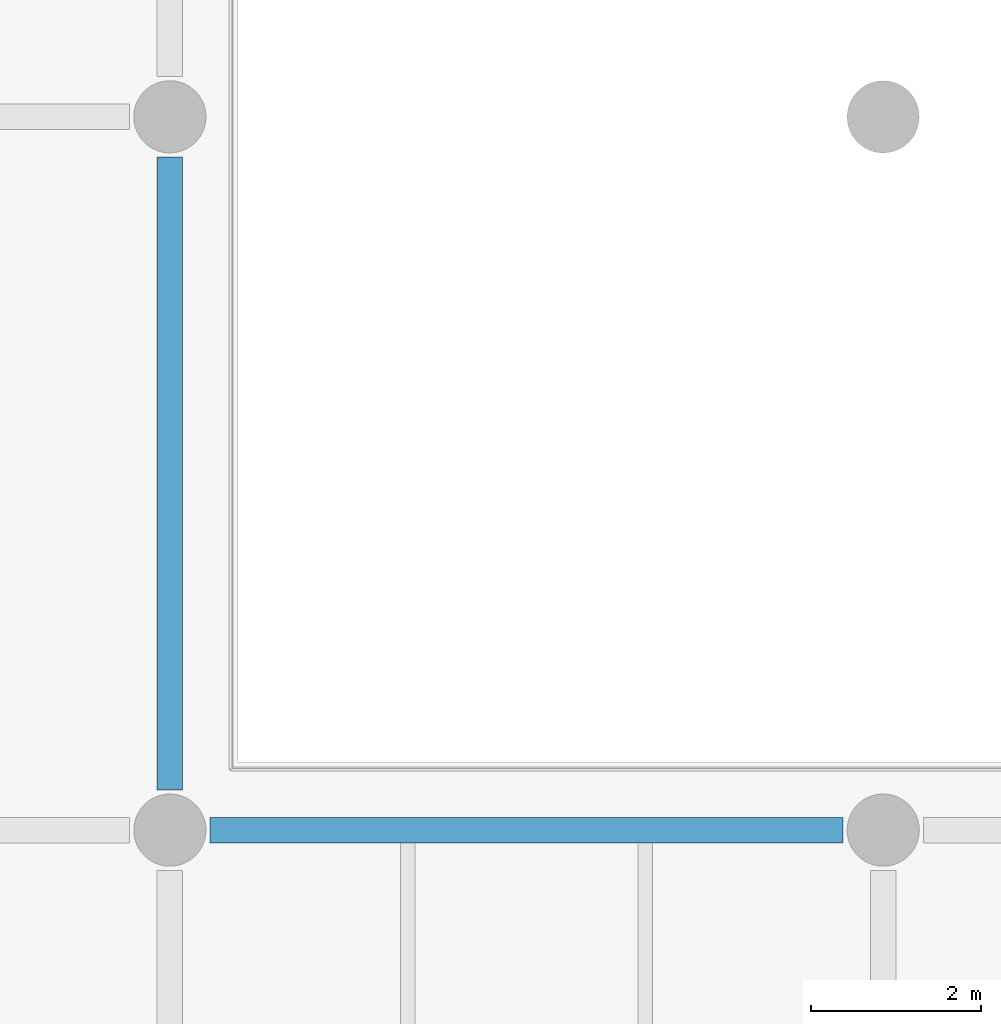
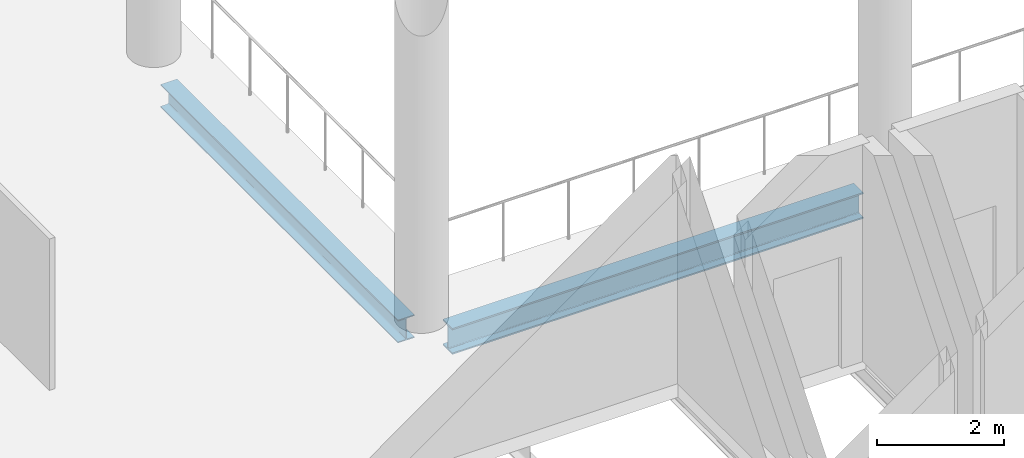
# One storey, part 51 of 177: 2 beams.
"""IFC4 building model written with IfcOpenShell, lengths in metres."""

from ifc_helpers import new_model, si_unit, direction, frame, origin, origin_2d, place, context, subcontext, project, spatial, i_section, extrude, material, material_profile, profile_set, type_object, element, save


model = new_model("IFC4")

# Units and contexts
model_context = context("Model", 3, precision=1e-05, world=origin(), true_north=direction((0.0, 1.0)))
body_context = subcontext(model_context, "Body", "Model", "MODEL_VIEW")
ifc_project = project(units=[si_unit("LENGTHUNIT", "METRE"), si_unit("AREAUNIT", "SQUARE_METRE"), si_unit("VOLUMEUNIT", "CUBIC_METRE"), si_unit("PLANEANGLEUNIT", "RADIAN"), si_unit("MASSUNIT", "GRAM", prefix="KILO"), si_unit("THERMODYNAMICTEMPERATUREUNIT", "KELVIN"), si_unit("POWERUNIT", "WATT")], contexts=[model_context])

# Site, building, storey
site_placement = place(None, origin())
site = spatial("IfcSite", under=ifc_project, at=site_placement, CompositionType="ELEMENT")
building_placement = place(site_placement, origin())
building = spatial("IfcBuilding", under=site, at=building_placement, Name="Mavoryth Pier Ferry Terminal", CompositionType="ELEMENT")
storey_placement = place(building_placement, frame((0.0, 0.0, 5.43994140625)))
storey = spatial("IfcBuildingStorey", under=building, at=storey_placement, Name="L01", CompositionType="ELEMENT", Elevation=5.43994140625)

# Beams
ifc_material = material(Name="Steel S355J2", Category="steel")
ifc_material_profile_1 = material_profile(ifc_material, i_section(OverallWidth=0.300048828125, OverallDepth=0.43994140625, WebThickness=0.011474609375, FlangeThickness=0.02099609375, FilletRadius=0.027099609375, at=origin_2d()), Name="HEA 450", Category="steel")
ifc_profile_set_1 = profile_set([ifc_material_profile_1], Name="Steel S355J2 - HEA 450")
beam_type_1 = type_object("IfcBeamType", Name="Beam-Steel-HEA450", PredefinedType="BEAM", material=ifc_profile_set_1)
beam_1_placement = place(storey_placement, frame((8.39990234375, 64.47509765625, -0.5), z_axis=(0.0, 1.0, 0.0), x_axis=(-1.0, 0.0, 0.0)))
element("IfcBeam", 1, at=beam_1_placement, inside=storey, type_object=beam_type_1, Name="Beam B01-SB03-0087", PredefinedType="BEAM", context=body_context, shape_type="SweptSolid", body=[
    extrude(i_section(OverallWidth=0.300048828125, OverallDepth=0.43994140625, WebThickness=0.011474609375, FlangeThickness=0.02099609375, FilletRadius=0.027099609375, at=origin_2d()), origin(), (0.0, 0.0, 1.0), 7.449951171875),
])
ifc_material_profile_2 = material_profile(ifc_material, i_section(OverallWidth=0.300048828125, OverallDepth=0.5, WebThickness=0.014404296875, FlangeThickness=0.028076171875, FilletRadius=0.027099609375, at=origin_2d()), Name="HEB 500", Category="steel")
ifc_profile_set_2 = profile_set([ifc_material_profile_2], Name="Steel S355J2 - HEB 500")
beam_type_2 = type_object("IfcBeamType", Name="Beam-Steel-HEB500", PredefinedType="BEAM", material=ifc_profile_set_2)
beam_2_placement = place(storey_placement, frame((8.875, 64.0, -0.530029296875), z_axis=(1.0, 0.0, 0.0), x_axis=(0.0, 1.0, 0.0)))
element("IfcBeam", 2, at=beam_2_placement, inside=storey, type_object=beam_type_2, Name="Beam B01-SB01-0057", PredefinedType="BEAM", context=body_context, shape_type="SweptSolid", body=[
    extrude(i_section(OverallWidth=0.300048828125, OverallDepth=0.5, WebThickness=0.014404296875, FlangeThickness=0.028076171875, FilletRadius=0.027099609375, at=origin_2d()), origin(), (0.0, 0.0, 1.0), 7.449951171875),
])

save(model, "model.ifc")
